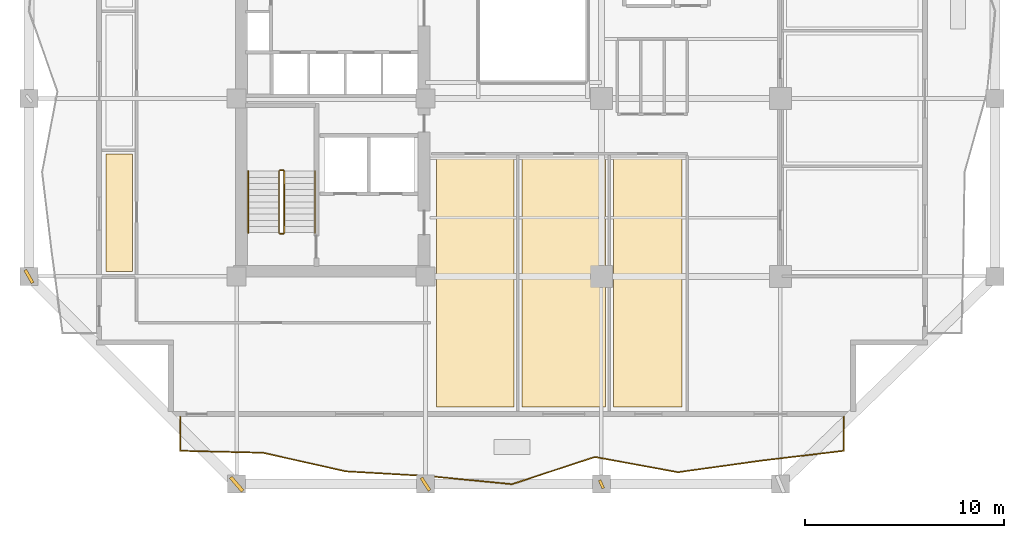
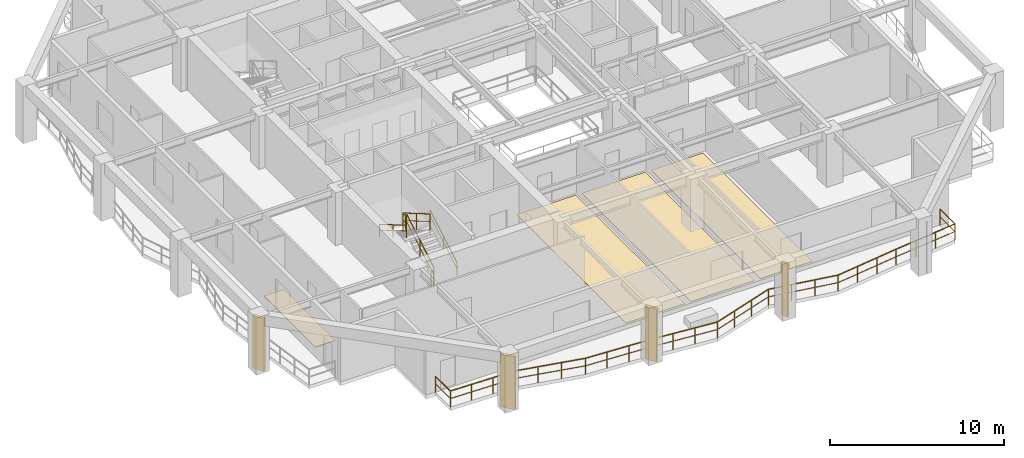
# One storey, part 7 of 11: 7 railings, 4 coverings, 4 shading devices.
"""IFC4 building model written with IfcOpenShell, lengths in metres."""

from ifc_helpers import new_model, si_unit, direction, frame, origin, origin_2d, place, context, subcontext, project, spatial, polyline, rectangle, outline, extrude, material, layer, layer_set, type_object, element, save


model = new_model("IFC4")

# Units and contexts
model_context = context("Model", 3, precision=1e-05, world=origin(), true_north=direction((0.0, 1.0)))
body_context = subcontext(model_context, "Body", "Model", "MODEL_VIEW")
ifc_project = project(units=[si_unit("LENGTHUNIT", "METRE"), si_unit("AREAUNIT", "SQUARE_METRE"), si_unit("VOLUMEUNIT", "CUBIC_METRE"), si_unit("PLANEANGLEUNIT", "RADIAN"), si_unit("MASSUNIT", "GRAM", prefix="KILO")], contexts=[model_context])

# Site, building, storey
site_placement = place(None, origin())
site = spatial("IfcSite", under=ifc_project, at=site_placement, CompositionType="ELEMENT")
building_placement = place(site_placement, origin())
building = spatial("IfcBuilding", under=site, at=building_placement, Name="Kundavana Baori Tower", CompositionType="ELEMENT")
storey_placement = place(building_placement, frame((0.0, 0.0, 90.0)))
storey = spatial("IfcBuildingStorey", under=building, at=storey_placement, Name="L21", CompositionType="ELEMENT", Elevation=90.0)

# Coverings
ifc_material_1 = material(Name="Honed Kota Stone and Terrazzo Flooring", Category="masonry")
ifc_layer_1 = layer(ifc_material_1, 0.0400390625, Name="COV-FLR-TERR-40")
ifc_layer_set_1 = layer_set([ifc_layer_1], Name="Honed Kota Stone and Terrazzo Flooring")
covering_type_1 = type_object("IfcCoveringType", Name="COV-FLR-TERR-40", PredefinedType="FLOORING", material=ifc_layer_set_1)
covering_1_placement = place(storey_placement, origin())
element("IfcCovering", 1, at=covering_1_placement, inside=storey, type_object=covering_type_1, Name="L21 Room Finished Stone Flooring 1", PredefinedType="FLOORING", context=body_context, shape_type="SweptSolid", body=[
    extrude(outline(polyline([(8.8798828125, 15.5), (10.199951171875, 15.5), (10.199951171875, 21.39990234375), (8.8798828125, 21.39990234375), (8.8798828125, 15.5)])), origin(), (0.0, 0.0, 1.0), 0.0400390625),
])
ifc_material_2 = material(Name="Honed Kota Stone and Terrazzo Flooring", Category="masonry")
ifc_layer_2 = layer(ifc_material_2, 0.030029296875, Name="COV-INT-FLR")
ifc_layer_set_2 = layer_set([ifc_layer_2], Name="Honed Kota Stone and Terrazzo Flooring")
covering_type_2 = type_object("IfcCoveringType", Name="COV-INT-FLR", PredefinedType="FLOORING", material=ifc_layer_set_2)
covering_2_placement = place(storey_placement, origin())
element("IfcCovering", 2, at=covering_2_placement, inside=storey, type_object=covering_type_2, Name="L21 Room Finished Stone Flooring 5", PredefinedType="FLOORING", context=body_context, shape_type="SweptSolid", body=[
    extrude(outline(polyline([(25.5, 8.679931640625), (29.39990234375, 8.679931640625), (29.39990234375, 21.199951171875), (25.5, 21.199951171875), (25.5, 8.679931640625)])), origin(), (0.0, 0.0, 1.0), 0.030029296875),
])
covering_3_placement = place(storey_placement, origin())
element("IfcCovering", 3, at=covering_3_placement, inside=storey, type_object=covering_type_2, Name="L21 Room Finished Stone Flooring 6", PredefinedType="FLOORING", context=body_context, shape_type="SweptSolid", body=[
    extrude(outline(polyline([(29.800048828125, 8.679931640625), (34.0, 8.679931640625), (34.0, 21.199951171875), (29.800048828125, 21.199951171875), (29.800048828125, 8.679931640625)])), origin(), (0.0, 0.0, 1.0), 0.030029296875),
])
covering_4_placement = place(storey_placement, origin())
element("IfcCovering", 4, at=covering_4_placement, inside=storey, type_object=covering_type_2, Name="L21 Room Finished Stone Flooring 7", PredefinedType="FLOORING", context=body_context, shape_type="SweptSolid", body=[
    extrude(outline(polyline([(34.39990234375, 8.679931640625), (37.840087890625, 8.679931640625), (37.840087890625, 21.199951171875), (34.39990234375, 21.199951171875), (34.39990234375, 8.679931640625)])), origin(), (0.0, 0.0, 1.0), 0.030029296875),
])

# Railings
ifc_material_3 = material(Name="Architectural Patinated Bronze Metalwork")
railing_type_1 = type_object("IfcRailingType", Name="RL-BAL-1150", PredefinedType="BALUSTRADE", material=ifc_material_3)
railing_1_placement = place(storey_placement, frame((46.0, 8.199951171875, 0.0)))
element("IfcRailing", 5, at=railing_1_placement, inside=storey, type_object=railing_type_1, Name="L21 Loggia Balcony Balustrade S", PredefinedType="BALUSTRADE", context=body_context, shape_type="SweptSolid", body=[
    extrude(rectangle(XDim=0.048095703125, YDim=0.048095703125, at=origin_2d()), frame((0.0, 0.0, 1.1259765625), z_axis=(0.0, -1.0, 0.0), x_axis=(1.0, 0.0, 0.0)), (0.0, 0.0, 1.0), 1.719970703125),
    extrude(rectangle(XDim=0.03125, YDim=0.03125, at=origin_2d()), frame((0.0, 0.0, 0.597900390625), z_axis=(0.0, -1.0, 0.0), x_axis=(1.0, 0.0, 0.0)), (0.0, 0.0, 1.0), 1.719970703125),
    extrude(rectangle(XDim=0.048095703125, YDim=0.048095703125, at=origin_2d()), frame((0.0, -1.719970703125, 1.1259765625), z_axis=(-0.992932502992, -0.118680430157, 0.0), x_axis=(0.118680430157, -0.992932502992, 0.0)), (0.0, 0.0, 1.0), 4.204833984375),
    extrude(rectangle(XDim=0.03125, YDim=0.03125, at=origin_2d()), frame((0.0, -1.719970703125, 0.597900390625), z_axis=(-0.992932502992, -0.118680430157, 0.0), x_axis=(0.118680430157, -0.992932502992, 0.0)), (0.0, 0.0, 1.0), 4.204833984375),
    extrude(rectangle(XDim=0.048095703125, YDim=0.048095703125, at=origin_2d()), frame((-4.175048828125, -2.218994140625, 1.1259765625), z_axis=(-0.990453871185, -0.137844582973, 0.0), x_axis=(0.137844582973, -0.990453871185, 0.0)), (0.0, 0.0, 1.0), 4.21533203125),
    extrude(rectangle(XDim=0.03125, YDim=0.03125, at=origin_2d()), frame((-4.175048828125, -2.218994140625, 0.597900390625), z_axis=(-0.990453871185, -0.137844582973, 0.0), x_axis=(0.137844582973, -0.990453871185, 0.0)), (0.0, 0.0, 1.0), 4.21533203125),
    extrude(rectangle(XDim=0.048095703125, YDim=0.048095703125, at=origin_2d()), frame((-8.35009765625, -2.800048828125, 1.1259765625), z_axis=(-0.98349415149, 0.180939918163, 0.0), x_axis=(-0.180939918163, -0.98349415149, 0.0)), (0.0, 0.0, 1.0), 4.244873046875),
    extrude(rectangle(XDim=0.03125, YDim=0.03125, at=origin_2d()), frame((-8.35009765625, -2.800048828125, 0.597900390625), z_axis=(-0.98349415149, 0.180939918163, 0.0), x_axis=(-0.180939918163, -0.98349415149, 0.0)), (0.0, 0.0, 1.0), 4.244873046875),
    extrude(rectangle(XDim=0.048095703125, YDim=0.048095703125, at=origin_2d()), frame((-12.52490234375, -2.031982421875, 1.1259765625), z_axis=(-0.950293437324, -0.311355717755, 0.0), x_axis=(0.311355717755, -0.950293437324, 0.0)), (0.0, 0.0, 1.0), 4.393310546875),
    extrude(rectangle(XDim=0.03125, YDim=0.03125, at=origin_2d()), frame((-12.52490234375, -2.031982421875, 0.597900390625), z_axis=(-0.950293437324, -0.311355717755, 0.0), x_axis=(0.311355717755, -0.950293437324, 0.0)), (0.0, 0.0, 1.0), 4.393310546875),
    extrude(rectangle(XDim=0.048095703125, YDim=0.048095703125, at=origin_2d()), frame((-16.699951171875, -3.39990234375, 1.1259765625), z_axis=(-0.995349653523, 0.096327915127, 0.0), x_axis=(-0.096327915127, -0.995349653523, 0.0)), (0.0, 0.0, 1.0), 4.194580078125),
    extrude(rectangle(XDim=0.03125, YDim=0.03125, at=origin_2d()), frame((-16.699951171875, -3.39990234375, 0.597900390625), z_axis=(-0.995349653523, 0.096327915127, 0.0), x_axis=(-0.096327915127, -0.995349653523, 0.0)), (0.0, 0.0, 1.0), 4.194580078125),
    extrude(rectangle(XDim=0.048095703125, YDim=0.048095703125, at=origin_2d()), frame((-20.875, -2.995849609375, 1.1259765625), z_axis=(-0.998365343619, 0.05715453315, 0.0), x_axis=(-0.05715453315, -0.998365343619, 0.0)), (0.0, 0.0, 1.0), 4.181884765625),
    extrude(rectangle(XDim=0.03125, YDim=0.03125, at=origin_2d()), frame((-20.875, -2.995849609375, 0.597900390625), z_axis=(-0.998365343619, 0.05715453315, 0.0), x_axis=(-0.05715453315, -0.998365343619, 0.0)), (0.0, 0.0, 1.0), 4.181884765625),
    extrude(rectangle(XDim=0.048095703125, YDim=0.048095703125, at=origin_2d()), frame((-25.050048828125, -2.7568359375, 1.1259765625), z_axis=(-0.975789367057, 0.218712393657, 0.0), x_axis=(-0.218712393657, -0.975789367057, 0.0)), (0.0, 0.0, 1.0), 4.278564453125),
    extrude(rectangle(XDim=0.03125, YDim=0.03125, at=origin_2d()), frame((-25.050048828125, -2.7568359375, 0.597900390625), z_axis=(-0.975789367057, 0.218712393657, 0.0), x_axis=(-0.218712393657, -0.975789367057, 0.0)), (0.0, 0.0, 1.0), 4.278564453125),
    extrude(rectangle(XDim=0.048095703125, YDim=0.048095703125, at=origin_2d()), frame((-29.22509765625, -1.821044921875, 1.1259765625), z_axis=(-0.999707053984, 0.024203433939, 0.0), x_axis=(-0.024203433939, -0.999707053984, 0.0)), (0.0, 0.0, 1.0), 4.176025390625),
    extrude(rectangle(XDim=0.03125, YDim=0.03125, at=origin_2d()), frame((-29.22509765625, -1.821044921875, 0.597900390625), z_axis=(-0.999707053984, 0.024203433939, 0.0), x_axis=(-0.024203433939, -0.999707053984, 0.0)), (0.0, 0.0, 1.0), 4.176025390625),
    extrude(rectangle(XDim=0.048095703125, YDim=0.048095703125, at=origin_2d()), frame((-33.39990234375, -1.719970703125, 1.1259765625), z_axis=(0.0, 1.0, 0.0), x_axis=(-1.0, 0.0, 0.0)), (0.0, 0.0, 1.0), 1.719970703125),
    extrude(rectangle(XDim=0.03125, YDim=0.03125, at=origin_2d()), frame((-33.39990234375, -1.719970703125, 0.597900390625), z_axis=(0.0, 1.0, 0.0), x_axis=(-1.0, 0.0, 0.0)), (0.0, 0.0, 1.0), 1.719970703125),
    extrude(rectangle(XDim=0.0419921875, YDim=0.0419921875, at=origin_2d()), origin(), (0.0, 0.0, 1.0), 1.101806640625),
    extrude(rectangle(XDim=0.0419921875, YDim=0.0419921875, at=origin_2d()), frame((0.0, -1.719970703125, 0.0)), (0.0, 0.0, 1.0), 1.101806640625),
    extrude(rectangle(XDim=0.0419921875, YDim=0.0419921875, at=origin_2d()), frame((-1.3916015625, -1.88623046875, 0.0)), (0.0, 0.0, 1.0), 1.101806640625),
    extrude(rectangle(XDim=0.0419921875, YDim=0.0419921875, at=origin_2d()), frame((-2.783447265625, -2.052734375, 0.0)), (0.0, 0.0, 1.0), 1.101806640625),
    extrude(rectangle(XDim=0.0419921875, YDim=0.0419921875, at=origin_2d()), frame((-4.175048828125, -2.218994140625, 0.0)), (0.0, 0.0, 1.0), 1.101806640625),
    extrude(rectangle(XDim=0.0419921875, YDim=0.0419921875, at=origin_2d()), frame((-5.566650390625, -2.41259765625, 0.0)), (0.0, 0.0, 1.0), 1.101806640625),
    extrude(rectangle(XDim=0.0419921875, YDim=0.0419921875, at=origin_2d()), frame((-6.95849609375, -2.6064453125, 0.0)), (0.0, 0.0, 1.0), 1.101806640625),
    extrude(rectangle(XDim=0.0419921875, YDim=0.0419921875, at=origin_2d()), frame((-8.35009765625, -2.800048828125, 0.0)), (0.0, 0.0, 1.0), 1.101806640625),
    extrude(rectangle(XDim=0.0419921875, YDim=0.0419921875, at=origin_2d()), frame((-9.74169921875, -2.5439453125, 0.0)), (0.0, 0.0, 1.0), 1.101806640625),
    extrude(rectangle(XDim=0.0419921875, YDim=0.0419921875, at=origin_2d()), frame((-11.13330078125, -2.2880859375, 0.0)), (0.0, 0.0, 1.0), 1.101806640625),
    extrude(rectangle(XDim=0.0419921875, YDim=0.0419921875, at=origin_2d()), frame((-12.52490234375, -2.031982421875, 0.0)), (0.0, 0.0, 1.0), 1.101806640625),
    extrude(rectangle(XDim=0.0419921875, YDim=0.0419921875, at=origin_2d()), frame((-13.91650390625, -2.488037109375, 0.0)), (0.0, 0.0, 1.0), 1.101806640625),
    extrude(rectangle(XDim=0.0419921875, YDim=0.0419921875, at=origin_2d()), frame((-15.308349609375, -2.94384765625, 0.0)), (0.0, 0.0, 1.0), 1.101806640625),
    extrude(rectangle(XDim=0.0419921875, YDim=0.0419921875, at=origin_2d()), frame((-16.699951171875, -3.39990234375, 0.0)), (0.0, 0.0, 1.0), 1.101806640625),
    extrude(rectangle(XDim=0.0419921875, YDim=0.0419921875, at=origin_2d()), frame((-18.091552734375, -3.26513671875, 0.0)), (0.0, 0.0, 1.0), 1.101806640625),
    extrude(rectangle(XDim=0.0419921875, YDim=0.0419921875, at=origin_2d()), frame((-19.4833984375, -3.130615234375, 0.0)), (0.0, 0.0, 1.0), 1.101806640625),
    extrude(rectangle(XDim=0.0419921875, YDim=0.0419921875, at=origin_2d()), frame((-20.875, -2.995849609375, 0.0)), (0.0, 0.0, 1.0), 1.101806640625),
    extrude(rectangle(XDim=0.0419921875, YDim=0.0419921875, at=origin_2d()), frame((-22.2666015625, -2.916259765625, 0.0)), (0.0, 0.0, 1.0), 1.101806640625),
    extrude(rectangle(XDim=0.0419921875, YDim=0.0419921875, at=origin_2d()), frame((-23.658447265625, -2.83642578125, 0.0)), (0.0, 0.0, 1.0), 1.101806640625),
    extrude(rectangle(XDim=0.0419921875, YDim=0.0419921875, at=origin_2d()), frame((-25.050048828125, -2.7568359375, 0.0)), (0.0, 0.0, 1.0), 1.101806640625),
    extrude(rectangle(XDim=0.0419921875, YDim=0.0419921875, at=origin_2d()), frame((-26.441650390625, -2.44482421875, 0.0)), (0.0, 0.0, 1.0), 1.101806640625),
    extrude(rectangle(XDim=0.0419921875, YDim=0.0419921875, at=origin_2d()), frame((-27.83349609375, -2.133056640625, 0.0)), (0.0, 0.0, 1.0), 1.101806640625),
    extrude(rectangle(XDim=0.0419921875, YDim=0.0419921875, at=origin_2d()), frame((-29.22509765625, -1.821044921875, 0.0)), (0.0, 0.0, 1.0), 1.101806640625),
    extrude(rectangle(XDim=0.0419921875, YDim=0.0419921875, at=origin_2d()), frame((-30.61669921875, -1.787353515625, 0.0)), (0.0, 0.0, 1.0), 1.101806640625),
    extrude(rectangle(XDim=0.0419921875, YDim=0.0419921875, at=origin_2d()), frame((-32.00830078125, -1.753662109375, 0.0)), (0.0, 0.0, 1.0), 1.101806640625),
    extrude(rectangle(XDim=0.0419921875, YDim=0.0419921875, at=origin_2d()), frame((-33.39990234375, -1.719970703125, 0.0)), (0.0, 0.0, 1.0), 1.101806640625),
    extrude(rectangle(XDim=0.0419921875, YDim=0.0419921875, at=origin_2d()), frame((-33.39990234375, 0.0, 0.0)), (0.0, 0.0, 1.0), 1.101806640625),
])
ifc_material_4 = material(Name="Architectural Patinated Bronze Metalwork")
railing_type_2 = type_object("IfcRailingType", Name="RL-GRD-1150", PredefinedType="GUARDRAIL", material=ifc_material_4)
railing_2_placement = place(storey_placement, frame((17.840087890625, 17.449951171875, 0.181884765625)))
element("IfcRailing", 6, at=railing_2_placement, inside=storey, type_object=railing_type_2, Name="L21 ST1 stair guard 1", PredefinedType="GUARDRAIL", context=body_context, shape_type="SweptSolid", body=[
    extrude(rectangle(XDim=0.048095703125, YDim=0.048095703125, at=origin_2d()), frame((0.0, 0.0, 1.1259765625), z_axis=(0.0, 0.862598821094, 0.505888598258), x_axis=(-1.0, 0.0, 0.0)), (0.0, 0.0, 1.0), 3.593994140625),
    extrude(rectangle(XDim=0.03125, YDim=0.03125, at=origin_2d()), frame((0.0, 0.0, 0.597900390625), z_axis=(0.0, 0.862598821094, 0.505888598258), x_axis=(-1.0, 0.0, 0.0)), (0.0, 0.0, 1.0), 3.593994140625),
    extrude(rectangle(XDim=0.0419921875, YDim=0.0419921875, at=origin_2d()), origin(), (0.0, 0.0, 1.0), 1.101806640625),
    extrude(rectangle(XDim=0.0419921875, YDim=0.0419921875, at=origin_2d()), frame((0.0, 1.550048828125, 0.9091796875)), (0.0, 0.0, 1.0), 1.101806640625),
    extrude(rectangle(XDim=0.0419921875, YDim=0.0419921875, at=origin_2d()), frame((0.0, 3.10009765625, 1.818115234375)), (0.0, 0.0, 1.0), 1.101806640625),
])
railing_3_placement = place(storey_placement, frame((17.7900390625, 20.60009765625, 2.0)))
element("IfcRailing", 7, at=railing_3_placement, inside=storey, type_object=railing_type_2, Name="L21 ST1 stair guard 2", PredefinedType="GUARDRAIL", context=body_context, shape_type="SweptSolid", body=[
    extrude(rectangle(XDim=0.048095703125, YDim=0.048095703125, at=origin_2d()), frame((0.0, 0.0, 1.1259765625), z_axis=(-1.0, 0.0, 0.0), x_axis=(0.0, -1.0, 0.0)), (0.0, 0.0, 1.0), 0.16015625),
    extrude(rectangle(XDim=0.03125, YDim=0.03125, at=origin_2d()), frame((0.0, 0.0, 0.597900390625), z_axis=(-1.0, 0.0, 0.0), x_axis=(0.0, -1.0, 0.0)), (0.0, 0.0, 1.0), 0.16015625),
    extrude(rectangle(XDim=0.0419921875, YDim=0.0419921875, at=origin_2d()), origin(), (0.0, 0.0, 1.0), 1.101806640625),
    extrude(rectangle(XDim=0.0419921875, YDim=0.0419921875, at=origin_2d()), frame((-0.16015625, 0.0, 0.0)), (0.0, 0.0, 1.0), 1.101806640625),
])
railing_4_placement = place(storey_placement, frame((17.580078125, 20.550048828125, 2.181884765625)))
element("IfcRailing", 8, at=railing_4_placement, inside=storey, type_object=railing_type_2, Name="L21 ST1 stair guard 3", PredefinedType="GUARDRAIL", context=body_context, shape_type="SweptSolid", body=[
    extrude(rectangle(XDim=0.048095703125, YDim=0.048095703125, at=origin_2d()), frame((0.0, 0.0, 1.1259765625), z_axis=(0.0, -0.862598821094, 0.505888598258), x_axis=(1.0, 0.0, 0.0)), (0.0, 0.0, 1.0), 3.593994140625),
    extrude(rectangle(XDim=0.03125, YDim=0.03125, at=origin_2d()), frame((0.0, 0.0, 0.597900390625), z_axis=(0.0, -0.862598821094, 0.505888598258), x_axis=(1.0, 0.0, 0.0)), (0.0, 0.0, 1.0), 3.593994140625),
    extrude(rectangle(XDim=0.0419921875, YDim=0.0419921875, at=origin_2d()), origin(), (0.0, 0.0, 1.0), 1.101806640625),
    extrude(rectangle(XDim=0.0419921875, YDim=0.0419921875, at=origin_2d()), frame((0.0, -1.550048828125, 0.9091796875)), (0.0, 0.0, 1.0), 1.101806640625),
    extrude(rectangle(XDim=0.0419921875, YDim=0.0419921875, at=origin_2d()), frame((0.0, -3.10009765625, 1.818115234375)), (0.0, 0.0, 1.0), 1.101806640625),
])
railing_5_placement = place(storey_placement, frame((17.7900390625, 17.39990234375, 0.0)))
element("IfcRailing", 9, at=railing_5_placement, inside=storey, type_object=railing_type_2, Name="L21 ST1 stair guard 4", PredefinedType="GUARDRAIL", context=body_context, shape_type="SweptSolid", body=[
    extrude(rectangle(XDim=0.048095703125, YDim=0.048095703125, at=origin_2d()), frame((0.0, 0.0, 1.1259765625), z_axis=(-1.0, 0.0, 0.0), x_axis=(0.0, -1.0, 0.0)), (0.0, 0.0, 1.0), 0.16015625),
    extrude(rectangle(XDim=0.03125, YDim=0.03125, at=origin_2d()), frame((0.0, 0.0, 0.597900390625), z_axis=(-1.0, 0.0, 0.0), x_axis=(0.0, -1.0, 0.0)), (0.0, 0.0, 1.0), 0.16015625),
    extrude(rectangle(XDim=0.0419921875, YDim=0.0419921875, at=origin_2d()), origin(), (0.0, 0.0, 1.0), 1.101806640625),
    extrude(rectangle(XDim=0.0419921875, YDim=0.0419921875, at=origin_2d()), frame((-0.16015625, 0.0, 0.0)), (0.0, 0.0, 1.0), 1.101806640625),
])
ifc_material_5 = material(Name="Architectural Patinated Bronze Metalwork")
railing_type_3 = type_object("IfcRailingType", Name="RL-HND-920", PredefinedType="HANDRAIL", material=ifc_material_5)
railing_6_placement = place(storey_placement, frame((19.389892578125, 17.449951171875, 0.181884765625)))
element("IfcRailing", 10, at=railing_6_placement, inside=storey, type_object=railing_type_3, Name="L21 ST1 stair handrail 1", PredefinedType="HANDRAIL", context=body_context, shape_type="SweptSolid", body=[
    extrude(rectangle(XDim=0.048095703125, YDim=0.048095703125, at=origin_2d()), frame((0.0, 0.0, 0.8759765625), z_axis=(0.0, 0.862598821094, 0.505888598258), x_axis=(-1.0, 0.0, 0.0)), (0.0, 0.0, 1.0), 3.593994140625),
    extrude(rectangle(XDim=0.03125, YDim=0.03125, at=origin_2d()), frame((0.0, 0.0, 0.468017578125), z_axis=(0.0, 0.862598821094, 0.505888598258), x_axis=(-1.0, 0.0, 0.0)), (0.0, 0.0, 1.0), 3.593994140625),
    extrude(rectangle(XDim=0.0419921875, YDim=0.0419921875, at=origin_2d()), origin(), (0.0, 0.0, 1.0), 0.851806640625),
    extrude(rectangle(XDim=0.0419921875, YDim=0.0419921875, at=origin_2d()), frame((0.0, 1.550048828125, 0.9091796875)), (0.0, 0.0, 1.0), 0.851806640625),
    extrude(rectangle(XDim=0.0419921875, YDim=0.0419921875, at=origin_2d()), frame((0.0, 3.10009765625, 1.818115234375)), (0.0, 0.0, 1.0), 0.851806640625),
])
railing_7_placement = place(storey_placement, frame((16.030029296875, 20.550048828125, 2.181884765625)))
element("IfcRailing", 11, at=railing_7_placement, inside=storey, type_object=railing_type_3, Name="L21 ST1 stair handrail 2", PredefinedType="HANDRAIL", context=body_context, shape_type="SweptSolid", body=[
    extrude(rectangle(XDim=0.048095703125, YDim=0.048095703125, at=origin_2d()), frame((0.0, 0.0, 0.8759765625), z_axis=(0.0, -0.862598821094, 0.505888598258), x_axis=(1.0, 0.0, 0.0)), (0.0, 0.0, 1.0), 3.593994140625),
    extrude(rectangle(XDim=0.03125, YDim=0.03125, at=origin_2d()), frame((0.0, 0.0, 0.468017578125), z_axis=(0.0, -0.862598821094, 0.505888598258), x_axis=(1.0, 0.0, 0.0)), (0.0, 0.0, 1.0), 3.593994140625),
    extrude(rectangle(XDim=0.0419921875, YDim=0.0419921875, at=origin_2d()), origin(), (0.0, 0.0, 1.0), 0.851806640625),
    extrude(rectangle(XDim=0.0419921875, YDim=0.0419921875, at=origin_2d()), frame((0.0, -1.550048828125, 0.9091796875)), (0.0, 0.0, 1.0), 0.851806640625),
    extrude(rectangle(XDim=0.0419921875, YDim=0.0419921875, at=origin_2d()), frame((0.0, -3.10009765625, 1.818115234375)), (0.0, 0.0, 1.0), 0.851806640625),
])

# Shading devices
ifc_material_6 = material(Name="Red-Buff Dholpur Sandstone Cladding on Concrete C40/50", Category="masonry")
shading_device_type_1 = type_object("IfcShadingDeviceType", Name="SHD-FIN-750", PredefinedType="JALOUSIE", material=ifc_material_6)
for number, where, z_axis, x_axis, name in (
    (12, (24.949951171875, 4.800048828125, 0.0), (0.0, 0.0, 1.0), (0.841039012964, 0.540974471368, 0.0), "L21 Sweeping Dholpur Sandstone Facade Fin 2"),
    (13, (5.0, 15.25, 0.0), (0.0, 0.0, 1.0), (0.867331431408, 0.497731039913, 0.0), "L21 Sweeping Dholpur Sandstone Facade Fin 5"),
):
    element("IfcShadingDevice", number, at=place(storey_placement, frame(where, z_axis=z_axis, x_axis=x_axis)), inside=storey, type_object=shading_device_type_1, Name=name, PredefinedType="JALOUSIE", context=body_context, shape_type="SweptSolid", body=[
        extrude(rectangle(XDim=0.159912109375, YDim=0.75, at=origin_2d()), origin(), (0.0, 0.0, 1.0), 3.699951171875),
    ])
ifc_material_7 = material(Name="Red-Buff Dholpur Sandstone Cladding on Concrete C40/50", Category="masonry")
shading_device_type_2 = type_object("IfcShadingDeviceType", Name="SHD-FIN-920", PredefinedType="JALOUSIE", material=ifc_material_7)
shading_device_1_placement = place(storey_placement, frame((15.449951171875, 4.800048828125, 0.0), z_axis=(0.0, 0.0, 1.0), x_axis=(0.757109087531, 0.653288473477, 0.0)))
element("IfcShadingDevice", 14, at=shading_device_1_placement, inside=storey, type_object=shading_device_type_2, Name="L21 Sweeping Dholpur Sandstone Facade Fin 1", PredefinedType="JALOUSIE", context=body_context, shape_type="SweptSolid", body=[
    extrude(rectangle(XDim=0.179931640625, YDim=0.919921875, at=origin_2d()), origin(), (0.0, 0.0, 1.0), 3.699951171875),
])
ifc_material_8 = material(Name="Architectural Patinated Bronze Metalwork")
shading_device_type_3 = type_object("IfcShadingDeviceType", Name="SHD-LOUV-450", PredefinedType="SHUTTER", material=ifc_material_8)
shading_device_2_placement = place(storey_placement, frame((33.800048828125, 4.800048828125, 0.0), z_axis=(0.0, 0.0, 1.0), x_axis=(0.913474454793, 0.406896080641, 0.0)))
element("IfcShadingDevice", 15, at=shading_device_2_placement, inside=storey, type_object=shading_device_type_3, Name="L21 Sweeping Dholpur Sandstone Facade Fin 3", PredefinedType="SHUTTER", context=body_context, shape_type="SweptSolid", body=[
    extrude(rectangle(XDim=0.139892578125, YDim=0.449951171875, at=origin_2d()), origin(), (0.0, 0.0, 1.0), 3.699951171875),
])

save(model, "model.ifc")
